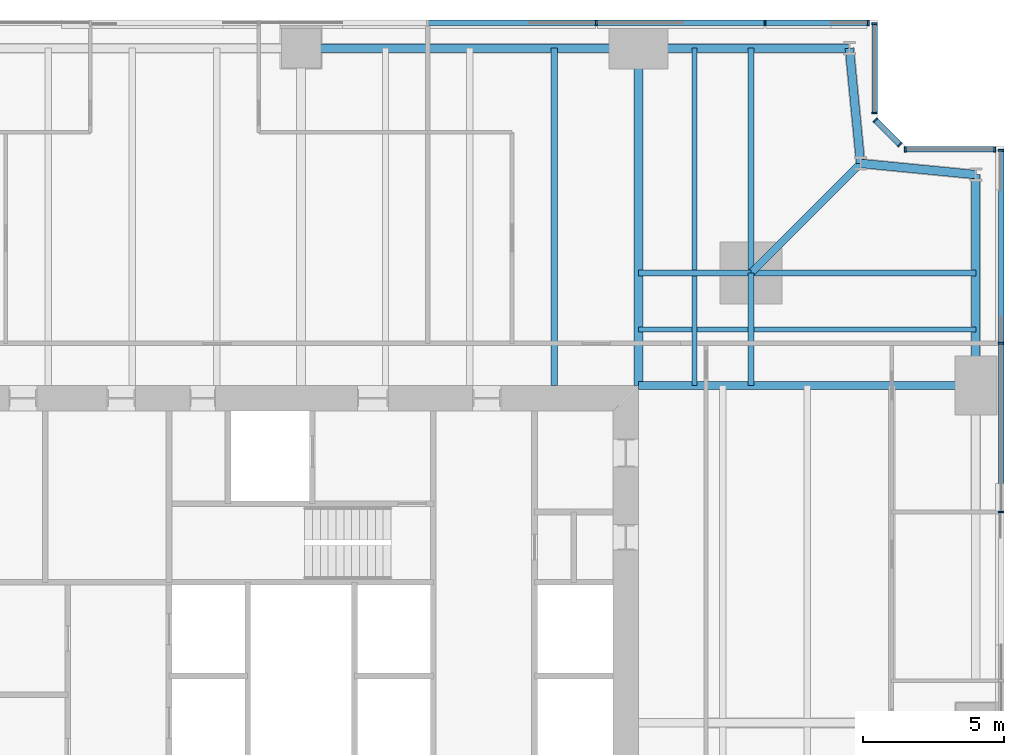
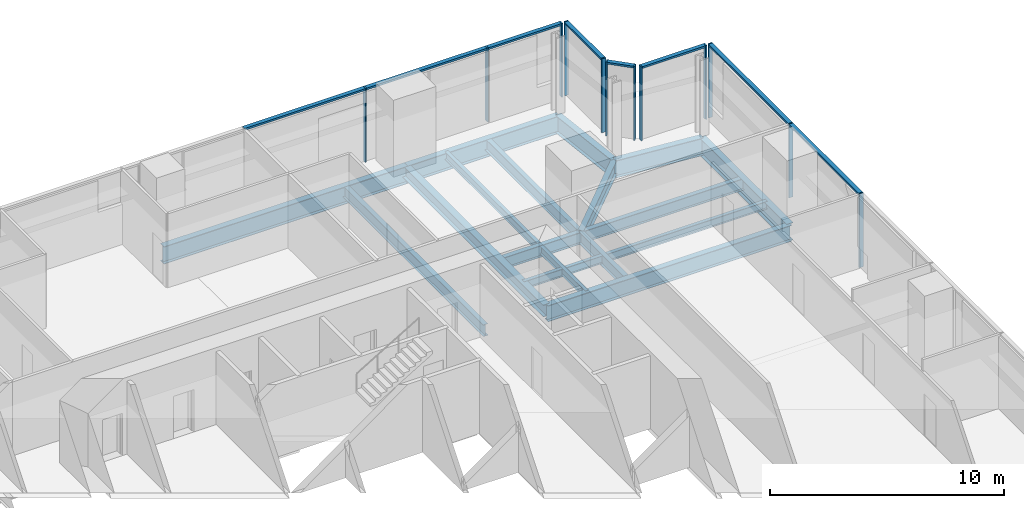
# One storey, part 7 of 14: 20 members, 18 beams, 5 elements without a shape of their own.
"""IFC4 building model written with IfcOpenShell, lengths in metres."""

from ifc_helpers import new_model, si_unit, direction, frame, origin, origin_2d, place, context, subcontext, project, spatial, rectangle, i_section, extrude, material, material_profile, profile_set, type_object, element, aggregate, save


model = new_model("IFC4")

# Units and contexts
model_context = context("Model", 3, precision=1e-05, world=origin(), true_north=direction((0.0, 1.0)))
body_context = subcontext(model_context, "Body", "Model", "MODEL_VIEW")
ifc_project = project(units=[si_unit("LENGTHUNIT", "METRE"), si_unit("AREAUNIT", "SQUARE_METRE"), si_unit("VOLUMEUNIT", "CUBIC_METRE"), si_unit("PLANEANGLEUNIT", "RADIAN"), si_unit("MASSUNIT", "GRAM", prefix="KILO")], contexts=[model_context])

# Site, building, storey
site_placement = place(None, origin())
site = spatial("IfcSite", under=ifc_project, at=site_placement, CompositionType="ELEMENT")
building_placement = place(site_placement, origin())
building = spatial("IfcBuilding", under=site, at=building_placement, Name="Fenwick Lantern Interchange", CompositionType="ELEMENT")
storey_placement = place(building_placement, frame((0.0, 0.0, 118.39990234375)))
storey = spatial("IfcBuildingStorey", under=building, at=storey_placement, Name="L27", CompositionType="ELEMENT", Elevation=118.39990234375)

# Beams
ifc_material_1 = material(Name="Steel ASTM A992 Grade 50", Category="steel")
ifc_material_profile_1 = material_profile(ifc_material_1, i_section(OverallWidth=0.3046875, OverallDepth=0.911865234375, WebThickness=0.015869140625, FlangeThickness=0.02392578125, at=origin_2d()), Name="W36X150")
ifc_profile_set_1 = profile_set([ifc_material_profile_1], Name="Steel ASTM A992 Grade 50")
beam_type_1 = type_object("IfcBeamType", Name="EDGE BEAM W36X150", PredefinedType="SPANDREL", material=ifc_profile_set_1)
beam_1_placement = place(storey_placement, frame((49.0, 37.0, -0.605712890625), z_axis=(0.0, 1.0, 0.0), x_axis=(-1.0, 0.0, 0.0)))
element("IfcBeam", 1, at=beam_1_placement, inside=storey, type_object=beam_type_1, Name="L27/FR/E/EB4", PredefinedType="SPANDREL", context=body_context, shape_type="SweptSolid", body=[
    extrude(i_section(OverallWidth=0.3046875, OverallDepth=0.911865234375, WebThickness=0.015869140625, FlangeThickness=0.02392578125, at=origin_2d()), origin(), (0.0, 0.0, 1.0), 7.5),
])
for number, where, z_axis, x_axis, name in (
    (2, (49.0, 44.5, -0.605712890625), (-0.995277148028, 0.097074191287, 0.0), (-0.097074191287, -0.995277148028, 0.0), "L27/FR/E/EBR1"),
    (3, (44.89990234375, 44.89990234375, -0.605712890625), (-0.097074191287, 0.995277148028, 0.0), (-0.995277148028, -0.097074191287, 0.0), "L27/FR/E/EBR2"),
):
    element("IfcBeam", number, at=place(storey_placement, frame(where, z_axis=z_axis, x_axis=x_axis)), inside=storey, type_object=beam_type_1, Name=name, PredefinedType="SPANDREL", context=body_context, shape_type="SweptSolid", body=[
        extrude(i_section(OverallWidth=0.3046875, OverallDepth=0.911865234375, WebThickness=0.015869140625, FlangeThickness=0.02392578125, at=origin_2d()), origin(), (0.0, 0.0, 1.0), 4.11962890625),
    ])
beam_2_placement = place(storey_placement, frame((44.5, 49.0, -0.605712890625), z_axis=(-1.0, 0.0, 0.0), x_axis=(0.0, -1.0, 0.0)))
element("IfcBeam", 4, at=beam_2_placement, inside=storey, type_object=beam_type_1, Name="L27/FR/N/EB1", PredefinedType="SPANDREL", context=body_context, shape_type="SweptSolid", body=[
    extrude(i_section(OverallWidth=0.3046875, OverallDepth=0.911865234375, WebThickness=0.015869140625, FlangeThickness=0.02392578125, at=origin_2d()), origin(), (0.0, 0.0, 1.0), 7.5),
])
beam_3_placement = place(storey_placement, frame((37.0, 49.0, -0.605712890625), z_axis=(-1.0, 0.0, 0.0), x_axis=(0.0, -1.0, 0.0)))
element("IfcBeam", 5, at=beam_3_placement, inside=storey, type_object=beam_type_1, Name="L27/FR/N/EB2", PredefinedType="SPANDREL", context=body_context, shape_type="SweptSolid", body=[
    extrude(i_section(OverallWidth=0.3046875, OverallDepth=0.911865234375, WebThickness=0.015869140625, FlangeThickness=0.02392578125, at=origin_2d()), origin(), (0.0, 0.0, 1.0), 12.0),
])
ifc_material_profile_2 = material_profile(ifc_material_1, i_section(OverallWidth=0.22900390625, OverallDepth=0.612060546875, WebThickness=0.011962890625, FlangeThickness=0.01953125, at=origin_2d()), Name="W24X84")
ifc_profile_set_2 = profile_set([ifc_material_profile_2], Name="Steel ASTM A992 Grade 50")
beam_type_2 = type_object("IfcBeamType", Name="FLOOR BEAM W24X84", PredefinedType="BEAM", material=ifc_profile_set_2)
beam_4_placement = place(storey_placement, frame((34.0, 49.0, -0.4560546875), z_axis=(0.0, -1.0, 0.0), x_axis=(1.0, 0.0, 0.0)))
element("IfcBeam", 6, at=beam_4_placement, inside=storey, type_object=beam_type_2, Name="L27/FR/N/R02", PredefinedType="BEAM", context=body_context, shape_type="SweptSolid", body=[
    extrude(i_section(OverallWidth=0.22900390625, OverallDepth=0.612060546875, WebThickness=0.011962890625, FlangeThickness=0.01953125, at=origin_2d()), origin(), (0.0, 0.0, 1.0), 12.0),
])
ifc_material_profile_3 = material_profile(ifc_material_1, i_section(OverallWidth=0.177734375, OverallDepth=0.406494140625, WebThickness=0.0078125, FlangeThickness=0.012939453125, at=origin_2d()), Name="W16X40")
ifc_profile_set_3 = profile_set([ifc_material_profile_3], Name="Steel ASTM A992 Grade 50")
beam_type_3 = type_object("IfcBeamType", Name="INFILL BEAM W16X40", PredefinedType="JOIST", material=ifc_profile_set_3)
beam_5_placement = place(storey_placement, frame((39.0, 49.0, -0.35302734375), z_axis=(0.0, -1.0, 0.0), x_axis=(1.0, 0.0, 0.0)))
element("IfcBeam", 7, at=beam_5_placement, inside=storey, type_object=beam_type_3, Name="L27/FR/N/J1", PredefinedType="JOIST", context=body_context, shape_type="SweptSolid", body=[
    extrude(i_section(OverallWidth=0.177734375, OverallDepth=0.406494140625, WebThickness=0.0078125, FlangeThickness=0.012939453125, at=origin_2d()), origin(), (0.0, 0.0, 1.0), 7.885498046875),
])
beam_6_placement = place(storey_placement, frame((39.0, 40.885498046875, -0.35302734375), z_axis=(0.0, -1.0, 0.0), x_axis=(1.0, 0.0, 0.0)))
element("IfcBeam", 8, at=beam_6_placement, inside=storey, type_object=beam_type_3, Name="L27/FR/N/J2", PredefinedType="JOIST", context=body_context, shape_type="SweptSolid", body=[
    extrude(i_section(OverallWidth=0.177734375, OverallDepth=0.406494140625, WebThickness=0.0078125, FlangeThickness=0.012939453125, at=origin_2d()), origin(), (0.0, 0.0, 1.0), 3.885498046875),
])
beam_7_placement = place(storey_placement, frame((49.0, 39.0, -0.35302734375), z_axis=(-1.0, 0.0, 0.0), x_axis=(0.0, -1.0, 0.0)))
element("IfcBeam", 9, at=beam_7_placement, inside=storey, type_object=beam_type_3, Name="L27/FR/N/J3", PredefinedType="JOIST", context=body_context, shape_type="SweptSolid", body=[
    extrude(i_section(OverallWidth=0.177734375, OverallDepth=0.406494140625, WebThickness=0.0078125, FlangeThickness=0.012939453125, at=origin_2d()), origin(), (0.0, 0.0, 1.0), 7.885498046875),
])
beam_8_placement = place(storey_placement, frame((40.885498046875, 39.0, -0.35302734375), z_axis=(-1.0, 0.0, 0.0), x_axis=(0.0, -1.0, 0.0)))
element("IfcBeam", 10, at=beam_8_placement, inside=storey, type_object=beam_type_3, Name="L27/FR/N/J4", PredefinedType="JOIST", context=body_context, shape_type="SweptSolid", body=[
    extrude(i_section(OverallWidth=0.177734375, OverallDepth=0.406494140625, WebThickness=0.0078125, FlangeThickness=0.012939453125, at=origin_2d()), origin(), (0.0, 0.0, 1.0), 1.796630859375),
])
beam_9_placement = place(storey_placement, frame((38.9111328125, 39.0, -0.35302734375), z_axis=(-1.0, 0.0, 0.0), x_axis=(0.0, -1.0, 0.0)))
element("IfcBeam", 11, at=beam_9_placement, inside=storey, type_object=beam_type_3, Name="L27/FR/N/J5", PredefinedType="JOIST", context=body_context, shape_type="SweptSolid", body=[
    extrude(i_section(OverallWidth=0.177734375, OverallDepth=0.406494140625, WebThickness=0.0078125, FlangeThickness=0.012939453125, at=origin_2d()), origin(), (0.0, 0.0, 1.0), 1.9111328125),
])
ifc_material_profile_4 = material_profile(ifc_material_1, i_section(OverallWidth=0.22900390625, OverallDepth=0.612060546875, WebThickness=0.011962890625, FlangeThickness=0.01953125, at=origin_2d()), Name="W24X84")
ifc_profile_set_4 = profile_set([ifc_material_profile_4], Name="Steel ASTM A992 Grade 50")
beam_type_4 = type_object("IfcBeamType", Name="MEGA COLUMN BEAM W24X84", PredefinedType="BEAM", material=ifc_profile_set_4)
for number, where, z_axis, x_axis, name in (
    (12, (41.0, 41.0, -0.4560546875), (0.0, 1.0, 0.0), (-1.0, 0.0, 0.0), "L27/FR/N/MB1"),
    (13, (41.0, 41.0, -0.4560546875), (1.0, 0.0, 0.0), (0.0, 1.0, 0.0), "L27/FR/N/MB2"),
):
    element("IfcBeam", number, at=place(storey_placement, frame(where, z_axis=z_axis, x_axis=x_axis)), inside=storey, type_object=beam_type_4, Name=name, PredefinedType="BEAM", context=body_context, shape_type="SweptSolid", body=[
        extrude(i_section(OverallWidth=0.22900390625, OverallDepth=0.612060546875, WebThickness=0.011962890625, FlangeThickness=0.01953125, at=origin_2d()), origin(), (0.0, 0.0, 1.0), 8.0),
    ])
for number, where, z_axis, x_axis, name in (
    (14, (41.0, 41.0, -0.4560546875), (-1.0, 0.0, 0.0), (0.0, -1.0, 0.0), "L27/FR/N/MB3"),
    (15, (41.0, 41.0, -0.4560546875), (0.0, -1.0, 0.0), (1.0, 0.0, 0.0), "L27/FR/N/MB4"),
):
    element("IfcBeam", number, at=place(storey_placement, frame(where, z_axis=z_axis, x_axis=x_axis)), inside=storey, type_object=beam_type_4, Name=name, PredefinedType="BEAM", context=body_context, shape_type="SweptSolid", body=[
        extrude(i_section(OverallWidth=0.22900390625, OverallDepth=0.612060546875, WebThickness=0.011962890625, FlangeThickness=0.01953125, at=origin_2d()), origin(), (0.0, 0.0, 1.0), 4.0),
    ])
ifc_material_profile_5 = material_profile(ifc_material_1, i_section(OverallWidth=0.32763671875, OverallDepth=0.622314453125, WebThickness=0.015380859375, FlangeThickness=0.0244140625, at=origin_2d()), Name="W24X131")
ifc_profile_set_5 = profile_set([ifc_material_profile_5], Name="Steel ASTM A992 Grade 50")
beam_type_5 = type_object("IfcBeamType", Name="MOMENT-CONNECTED GIRDER W24X131", PredefinedType="BEAM", material=ifc_profile_set_5)
beam_10_placement = place(storey_placement, frame((37.0, 49.0, -0.4609375), z_axis=(0.0, -1.0, 0.0), x_axis=(1.0, 0.0, 0.0)))
element("IfcBeam", 16, at=beam_10_placement, inside=storey, type_object=beam_type_5, Name="L27/FR/N/R01", PredefinedType="BEAM", context=body_context, shape_type="SweptSolid", body=[
    extrude(i_section(OverallWidth=0.32763671875, OverallDepth=0.622314453125, WebThickness=0.015380859375, FlangeThickness=0.0244140625, at=origin_2d()), origin(), (0.0, 0.0, 1.0), 12.0),
])
ifc_material_profile_6 = material_profile(ifc_material_1, i_section(OverallWidth=0.2919921875, OverallDepth=0.845703125, WebThickness=0.015380859375, FlangeThickness=0.0244140625, at=origin_2d()), Name="W33X141")
ifc_profile_set_6 = profile_set([ifc_material_profile_6], Name="Steel ASTM A992 Grade 50")
beam_type_6 = type_object("IfcBeamType", Name="MOMENT-CONNECTED GIRDER W33X141", PredefinedType="BEAM", material=ifc_profile_set_6)
beam_11_placement = place(storey_placement, frame((49.0, 37.0, -0.57275390625), z_axis=(-1.0, 0.0, 0.0), x_axis=(0.0, -1.0, 0.0)))
element("IfcBeam", 17, at=beam_11_placement, inside=storey, type_object=beam_type_6, Name="L27/FR/E/R03", PredefinedType="BEAM", context=body_context, shape_type="SweptSolid", body=[
    extrude(i_section(OverallWidth=0.2919921875, OverallDepth=0.845703125, WebThickness=0.015380859375, FlangeThickness=0.0244140625, at=origin_2d()), origin(), (0.0, 0.0, 1.0), 12.0),
])
ifc_material_profile_7 = material_profile(ifc_material_1, i_section(OverallWidth=0.2666015625, OverallDepth=0.7568359375, WebThickness=0.013916015625, FlangeThickness=0.019287109375, at=origin_2d()), Name="W30X108")
ifc_profile_set_7 = profile_set([ifc_material_profile_7], Name="Steel ASTM A992 Grade 50")
beam_type_7 = type_object("IfcBeamType", Name="NOTCH BEAM W30X108", PredefinedType="BEAM", material=ifc_profile_set_7)
beam_12_placement = place(storey_placement, frame((41.0, 41.0, -0.5283203125), z_axis=(0.707106781187, 0.707106781187, 0.0), x_axis=(-0.707106781187, 0.707106781187, 0.0)))
element("IfcBeam", 18, at=beam_12_placement, inside=storey, type_object=beam_type_7, Name="L27/FR/N/TG", PredefinedType="BEAM", context=body_context, shape_type="SweptSolid", body=[
    extrude(i_section(OverallWidth=0.2666015625, OverallDepth=0.7568359375, WebThickness=0.013916015625, FlangeThickness=0.019287109375, at=origin_2d()), origin(), (0.0, 0.0, 1.0), 5.515380859375),
])

# Curtain wall, members
ifc_material_2 = material(Name="Aluminium curtain wall frame", Category="aluminium")
curtain_wall_type = type_object("IfcCurtainWallType", Name="OFFICE CURTAIN WALL", PredefinedType="USERDEFINED", material=ifc_material_2)
curtain_wall_1_placement = place(storey_placement, origin())
curtain_wall_1 = element("IfcCurtainWall", 19, at=curtain_wall_1_placement, inside=storey, type_object=curtain_wall_type, Name="Office curtain wall 05", ObjectType="OFFICE CURTAIN WALL", PredefinedType="USERDEFINED")
ifc_material_3 = material(Name="Aluminium extrusion", Category="aluminium")
ifc_material_profile_8 = material_profile(ifc_material_3, rectangle(XDim=0.199951171875, YDim=0.06494140625, at=origin_2d()), Name="OFFICE CURTAIN WALL MULLION 65 X 200")
ifc_profile_set_8 = profile_set([ifc_material_profile_8], Name="Aluminium extrusion")
member_type_1 = type_object("IfcMemberType", Name="OFFICE CURTAIN WALL MULLION 65 X 200", PredefinedType="MULLION", material=ifc_profile_set_8)
member_1_placement = place(storey_placement, frame((49.89990234375, 32.5, 0.0), z_axis=(0.0, 0.0, 1.0), x_axis=(-1.0, 0.0, 0.0)))
member_1 = element("IfcMember", 20, at=member_1_placement, type_object=member_type_1, Name="L27/CW/05/M05", PredefinedType="MULLION", context=body_context, shape_type="SweptSolid", body=[
    extrude(rectangle(XDim=0.199951171875, YDim=0.06494140625, at=origin_2d()), origin(), (0.0, 0.0, 1.0), 3.85009765625),
])
member_2_placement = place(storey_placement, frame((49.89990234375, 38.5, 0.0), z_axis=(0.0, 0.0, 1.0), x_axis=(-1.0, 0.0, 0.0)))
member_2 = element("IfcMember", 21, at=member_2_placement, type_object=member_type_1, Name="L27/CW/05/M06", PredefinedType="MULLION", context=body_context, shape_type="SweptSolid", body=[
    extrude(rectangle(XDim=0.199951171875, YDim=0.06494140625, at=origin_2d()), origin(), (0.0, 0.0, 1.0), 3.85009765625),
])
member_3_placement = place(storey_placement, frame((49.89990234375, 45.367431640625, 0.0), z_axis=(0.0, 0.0, 1.0), x_axis=(-1.0, 0.0, 0.0)))
member_3 = element("IfcMember", 22, at=member_3_placement, type_object=member_type_1, Name="L27/CW/05/M07", PredefinedType="MULLION", context=body_context, shape_type="SweptSolid", body=[
    extrude(rectangle(XDim=0.199951171875, YDim=0.06494140625, at=origin_2d()), origin(), (0.0, 0.0, 1.0), 3.85009765625),
])

curtain_wall_2_placement = place(storey_placement, origin())
curtain_wall_2 = element("IfcCurtainWall", 23, at=curtain_wall_2_placement, inside=storey, type_object=curtain_wall_type, Name="Office curtain wall 06", ObjectType="OFFICE CURTAIN WALL", PredefinedType="USERDEFINED")
member_4_placement = place(storey_placement, frame((49.66748046875, 45.39990234375, 0.0), z_axis=(0.0, 0.0, 1.0), x_axis=(0.0, -1.0, 0.0)))
member_4 = element("IfcMember", 24, at=member_4_placement, type_object=member_type_1, Name="L27/CW/06/M00", PredefinedType="MULLION", context=body_context, shape_type="SweptSolid", body=[
    extrude(rectangle(XDim=0.199951171875, YDim=0.06494140625, at=origin_2d()), origin(), (0.0, 0.0, 1.0), 3.85009765625),
])
member_5_placement = place(storey_placement, frame((46.490966796875, 45.39990234375, 0.0), z_axis=(0.0, 0.0, 1.0), x_axis=(0.0, -1.0, 0.0)))
member_5 = element("IfcMember", 25, at=member_5_placement, type_object=member_type_1, Name="L27/CW/06/M01", PredefinedType="MULLION", context=body_context, shape_type="SweptSolid", body=[
    extrude(rectangle(XDim=0.199951171875, YDim=0.06494140625, at=origin_2d()), origin(), (0.0, 0.0, 1.0), 3.85009765625),
])

curtain_wall_3_placement = place(storey_placement, origin())
curtain_wall_3 = element("IfcCurtainWall", 26, at=curtain_wall_3_placement, inside=storey, type_object=curtain_wall_type, Name="Office curtain wall 07", ObjectType="OFFICE CURTAIN WALL", PredefinedType="USERDEFINED")
member_6_placement = place(storey_placement, frame((46.294189453125, 45.564453125, 0.0), z_axis=(0.0, 0.0, 1.0), x_axis=(-0.707106781187, -0.707106781187, 0.0)))
member_6 = element("IfcMember", 27, at=member_6_placement, type_object=member_type_1, Name="L27/CW/07/M00", PredefinedType="MULLION", context=body_context, shape_type="SweptSolid", body=[
    extrude(rectangle(XDim=0.199951171875, YDim=0.06494140625, at=origin_2d()), origin(), (0.0, 0.0, 1.0), 3.85009765625),
])
member_7_placement = place(storey_placement, frame((45.423095703125, 46.435546875, 0.0), z_axis=(0.0, 0.0, 1.0), x_axis=(-0.707106781187, -0.707106781187, 0.0)))
member_7 = element("IfcMember", 28, at=member_7_placement, type_object=member_type_1, Name="L27/CW/07/M01", PredefinedType="MULLION", context=body_context, shape_type="SweptSolid", body=[
    extrude(rectangle(XDim=0.199951171875, YDim=0.06494140625, at=origin_2d()), origin(), (0.0, 0.0, 1.0), 3.85009765625),
])

curtain_wall_4_placement = place(storey_placement, origin())
curtain_wall_4 = element("IfcCurtainWall", 29, at=curtain_wall_4_placement, inside=storey, type_object=curtain_wall_type, Name="Office curtain wall 08", ObjectType="OFFICE CURTAIN WALL", PredefinedType="USERDEFINED")
member_8_placement = place(storey_placement, frame((45.39990234375, 46.691162109375, 0.0), z_axis=(0.0, 0.0, 1.0), x_axis=(-1.0, 0.0, 0.0)))
member_8 = element("IfcMember", 30, at=member_8_placement, type_object=member_type_1, Name="L27/CW/08/M00", PredefinedType="MULLION", context=body_context, shape_type="SweptSolid", body=[
    extrude(rectangle(XDim=0.199951171875, YDim=0.06494140625, at=origin_2d()), origin(), (0.0, 0.0, 1.0), 3.85009765625),
])
member_9_placement = place(storey_placement, frame((45.39990234375, 49.867431640625, 0.0), z_axis=(0.0, 0.0, 1.0), x_axis=(-1.0, 0.0, 0.0)))
member_9 = element("IfcMember", 31, at=member_9_placement, type_object=member_type_1, Name="L27/CW/08/M01", PredefinedType="MULLION", context=body_context, shape_type="SweptSolid", body=[
    extrude(rectangle(XDim=0.199951171875, YDim=0.06494140625, at=origin_2d()), origin(), (0.0, 0.0, 1.0), 3.85009765625),
])

curtain_wall_5_placement = place(storey_placement, origin())
curtain_wall_5 = element("IfcCurtainWall", 32, at=curtain_wall_5_placement, inside=storey, type_object=curtain_wall_type, Name="Office curtain wall 09", ObjectType="OFFICE CURTAIN WALL", PredefinedType="USERDEFINED")
member_10_placement = place(storey_placement, frame((45.16748046875, 49.89990234375, 0.0), z_axis=(0.0, 0.0, 1.0), x_axis=(0.0, -1.0, 0.0)))
member_10 = element("IfcMember", 33, at=member_10_placement, type_object=member_type_1, Name="L27/CW/09/M00", PredefinedType="MULLION", context=body_context, shape_type="SweptSolid", body=[
    extrude(rectangle(XDim=0.199951171875, YDim=0.06494140625, at=origin_2d()), origin(), (0.0, 0.0, 1.0), 3.85009765625),
])
member_11_placement = place(storey_placement, frame((41.5, 49.89990234375, 0.0), z_axis=(0.0, 0.0, 1.0), x_axis=(0.0, -1.0, 0.0)))
member_11 = element("IfcMember", 34, at=member_11_placement, type_object=member_type_1, Name="L27/CW/09/M01", PredefinedType="MULLION", context=body_context, shape_type="SweptSolid", body=[
    extrude(rectangle(XDim=0.199951171875, YDim=0.06494140625, at=origin_2d()), origin(), (0.0, 0.0, 1.0), 3.85009765625),
])
member_12_placement = place(storey_placement, frame((35.5, 49.89990234375, 0.0), z_axis=(0.0, 0.0, 1.0), x_axis=(0.0, -1.0, 0.0)))
member_12 = element("IfcMember", 35, at=member_12_placement, type_object=member_type_1, Name="L27/CW/09/M02", PredefinedType="MULLION", context=body_context, shape_type="SweptSolid", body=[
    extrude(rectangle(XDim=0.199951171875, YDim=0.06494140625, at=origin_2d()), origin(), (0.0, 0.0, 1.0), 3.85009765625),
])

# Member
ifc_material_profile_9 = material_profile(ifc_material_3, rectangle(XDim=0.199951171875, YDim=0.10009765625, at=origin_2d()), Name="OFFICE CURTAIN WALL TRANSOM 100 X 200")
ifc_profile_set_9 = profile_set([ifc_material_profile_9], Name="Aluminium extrusion")
member_type_2 = type_object("IfcMemberType", Name="OFFICE CURTAIN WALL TRANSOM 100 X 200", PredefinedType="MULLION", material=ifc_profile_set_9)
member_13_placement = place(storey_placement, frame((49.89990234375, 32.532470703125, 3.800048828125), z_axis=(0.0, 1.0, 0.0), x_axis=(-1.0, 0.0, 0.0)))
member_13 = element("IfcMember", 36, at=member_13_placement, type_object=member_type_2, Name="L27/CW/05/T05", PredefinedType="MULLION", context=body_context, shape_type="SweptSolid", body=[
    extrude(rectangle(XDim=0.199951171875, YDim=0.10009765625, at=origin_2d()), origin(), (0.0, 0.0, 1.0), 5.93505859375),
])

member_14_placement = place(storey_placement, frame((49.89990234375, 38.532470703125, 3.800048828125), z_axis=(0.0, 1.0, 0.0), x_axis=(-1.0, 0.0, 0.0)))
member_14 = element("IfcMember", 37, at=member_14_placement, type_object=member_type_2, Name="L27/CW/05/T06", PredefinedType="MULLION", context=body_context, shape_type="SweptSolid", body=[
    extrude(rectangle(XDim=0.199951171875, YDim=0.10009765625, at=origin_2d()), origin(), (0.0, 0.0, 1.0), 6.802490234375),
])

aggregate(curtain_wall_1, [member_1, member_2, member_3, member_13, member_14])

member_15_placement = place(storey_placement, frame((49.635009765625, 45.39990234375, 3.800048828125), z_axis=(-1.0, 0.0, 0.0), x_axis=(0.0, -1.0, 0.0)))
member_15 = element("IfcMember", 38, at=member_15_placement, type_object=member_type_2, Name="L27/CW/06/T00", PredefinedType="MULLION", context=body_context, shape_type="SweptSolid", body=[
    extrude(rectangle(XDim=0.199951171875, YDim=0.10009765625, at=origin_2d()), origin(), (0.0, 0.0, 1.0), 3.111328125),
])

aggregate(curtain_wall_2, [member_4, member_5, member_15])

member_16_placement = place(storey_placement, frame((46.271240234375, 45.58740234375, 3.800048828125), z_axis=(-0.707106781187, 0.707106781187, 0.0), x_axis=(-0.707106781187, -0.707106781187, 0.0)))
member_16 = element("IfcMember", 39, at=member_16_placement, type_object=member_type_2, Name="L27/CW/07/T00", PredefinedType="MULLION", context=body_context, shape_type="SweptSolid", body=[
    extrude(rectangle(XDim=0.199951171875, YDim=0.10009765625, at=origin_2d()), origin(), (0.0, 0.0, 1.0), 1.1669921875),
])

aggregate(curtain_wall_3, [member_6, member_7, member_16])

member_17_placement = place(storey_placement, frame((45.39990234375, 46.7236328125, 3.800048828125), z_axis=(0.0, 1.0, 0.0), x_axis=(-1.0, 0.0, 0.0)))
member_17 = element("IfcMember", 40, at=member_17_placement, type_object=member_type_2, Name="L27/CW/08/T00", PredefinedType="MULLION", context=body_context, shape_type="SweptSolid", body=[
    extrude(rectangle(XDim=0.199951171875, YDim=0.10009765625, at=origin_2d()), origin(), (0.0, 0.0, 1.0), 3.111328125),
])

aggregate(curtain_wall_4, [member_8, member_9, member_17])

member_18_placement = place(storey_placement, frame((45.135009765625, 49.89990234375, 3.800048828125), z_axis=(-1.0, 0.0, 0.0), x_axis=(0.0, -1.0, 0.0)))
member_18 = element("IfcMember", 41, at=member_18_placement, type_object=member_type_2, Name="L27/CW/09/T00", PredefinedType="MULLION", context=body_context, shape_type="SweptSolid", body=[
    extrude(rectangle(XDim=0.199951171875, YDim=0.10009765625, at=origin_2d()), origin(), (0.0, 0.0, 1.0), 3.6025390625),
])

member_19_placement = place(storey_placement, frame((41.467529296875, 49.89990234375, 3.800048828125), z_axis=(-1.0, 0.0, 0.0), x_axis=(0.0, -1.0, 0.0)))
member_19 = element("IfcMember", 42, at=member_19_placement, type_object=member_type_2, Name="L27/CW/09/T01", PredefinedType="MULLION", context=body_context, shape_type="SweptSolid", body=[
    extrude(rectangle(XDim=0.199951171875, YDim=0.10009765625, at=origin_2d()), origin(), (0.0, 0.0, 1.0), 5.93505859375),
])

member_20_placement = place(storey_placement, frame((35.467529296875, 49.89990234375, 3.800048828125), z_axis=(-1.0, 0.0, 0.0), x_axis=(0.0, -1.0, 0.0)))
member_20 = element("IfcMember", 43, at=member_20_placement, type_object=member_type_2, Name="L27/CW/09/T02", PredefinedType="MULLION", context=body_context, shape_type="SweptSolid", body=[
    extrude(rectangle(XDim=0.199951171875, YDim=0.10009765625, at=origin_2d()), origin(), (0.0, 0.0, 1.0), 5.93505859375),
])

aggregate(curtain_wall_5, [member_10, member_11, member_12, member_18, member_19, member_20])

save(model, "model.ifc")
